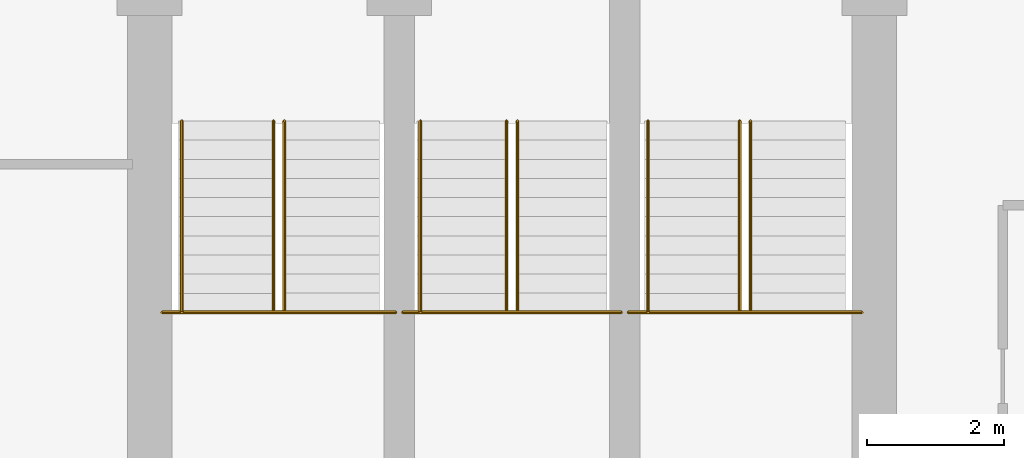
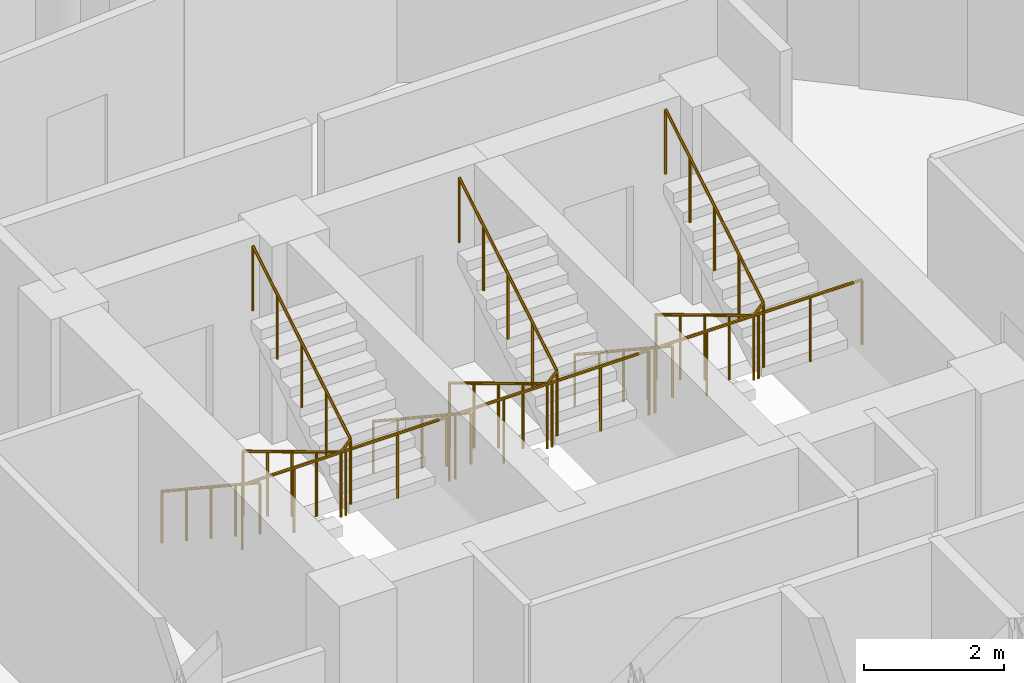
# One storey, part 26 of 26: 9 railings.
"""IFC4 building model written with IfcOpenShell, lengths in metres."""

from ifc_helpers import new_model, si_unit, direction, frame, origin, place, context, subcontext, project, spatial, polyline, outline, extrude, material, type_object, element, save


model = new_model("IFC4")

# Units and contexts
model_context = context("Model", 3, precision=1e-05, world=origin(), true_north=direction((0.0, 1.0)))
body_context = subcontext(model_context, "Body", "Model", "MODEL_VIEW")
ifc_project = project(units=[si_unit("LENGTHUNIT", "METRE"), si_unit("AREAUNIT", "SQUARE_METRE"), si_unit("VOLUMEUNIT", "CUBIC_METRE"), si_unit("PLANEANGLEUNIT", "RADIAN"), si_unit("MASSUNIT", "GRAM", prefix="KILO")], contexts=[model_context])

# Site, building, storey
site_placement = place(None, origin())
site = spatial("IfcSite", under=ifc_project, at=site_placement, CompositionType="ELEMENT")
building_placement = place(site_placement, origin())
building = spatial("IfcBuilding", under=site, at=building_placement, Name="Nuhasar Tower", CompositionType="ELEMENT")
storey_placement = place(building_placement, frame((0.0, 0.0, 155.25)))
storey = spatial("IfcBuildingStorey", under=building, at=storey_placement, Name="L37", CompositionType="ELEMENT", Elevation=155.25)

# Railings
ifc_material_1 = material(Name="Steel S355", Category="steel")
railing_type_1 = type_object("IfcRailingType", Name="RLG-STAIR-GUARD-1150", PredefinedType="GUARDRAIL", material=ifc_material_1)
railing_1_placement = place(storey_placement, frame((33.8798828125, 32.485107421875, 1.85009765625)))
element("IfcRailing", 1, at=railing_1_placement, inside=storey, type_object=railing_type_1, Name="L37 Stair ST-01 Guardrail LND", PredefinedType="GUARDRAIL", context=body_context, shape_type="SweptSolid", body=[
    extrude(outline(polyline([(0.024169921875, 0.0), (0.01708984375, 0.01708984375), (0.0, 0.024169921875), (-0.01708984375, 0.01708984375), (-0.024169921875, 0.0), (-0.01708984375, -0.01708984375), (0.0, -0.024169921875), (0.01708984375, -0.01708984375), (0.024169921875, 0.0)])), frame((0.0, 0.0, 1.1259765625), z_axis=(1.0, 0.0, 0.0), x_axis=(0.0, 1.0, 0.0)), (0.0, 0.0, 1.0), 3.420166015625),
    extrude(outline(polyline([(0.02099609375, 0.0), (0.014892578125, 0.014892578125), (0.0, 0.02099609375), (-0.014892578125, 0.014892578125), (-0.02099609375, 0.0), (-0.014892578125, -0.014892578125), (0.0, -0.02099609375), (0.014892578125, -0.014892578125), (0.02099609375, 0.0)])), origin(), (0.0, 0.0, 1.0), 1.101806640625),
    extrude(outline(polyline([(0.02099609375, 0.0), (0.014892578125, 0.014892578125), (0.0, 0.02099609375), (-0.014892578125, 0.014892578125), (-0.02099609375, 0.0), (-0.014892578125, -0.014892578125), (0.0, -0.02099609375), (0.014892578125, -0.014892578125), (0.02099609375, 0.0)])), frame((0.85498046875, 0.0, 0.0)), (0.0, 0.0, 1.0), 1.101806640625),
    extrude(outline(polyline([(0.02099609375, 0.0), (0.014892578125, 0.014892578125), (0.0, 0.02099609375), (-0.014892578125, 0.014892578125), (-0.02099609375, 0.0), (-0.014892578125, -0.014892578125), (0.0, -0.02099609375), (0.014892578125, -0.014892578125), (0.02099609375, 0.0)])), frame((1.7099609375, 0.0, 0.0)), (0.0, 0.0, 1.0), 1.101806640625),
    extrude(outline(polyline([(0.02099609375, 0.0), (0.014892578125, 0.014892578125), (0.0, 0.02099609375), (-0.014892578125, 0.014892578125), (-0.02099609375, 0.0), (-0.014892578125, -0.014892578125), (0.0, -0.02099609375), (0.014892578125, -0.014892578125), (0.02099609375, 0.0)])), frame((2.565185546875, 0.0, 0.0)), (0.0, 0.0, 1.0), 1.101806640625),
    extrude(outline(polyline([(0.02099609375, 0.0), (0.014892578125, 0.014892578125), (0.0, 0.02099609375), (-0.014892578125, 0.014892578125), (-0.02099609375, 0.0), (-0.014892578125, -0.014892578125), (0.0, -0.02099609375), (0.014892578125, -0.014892578125), (0.02099609375, 0.0)])), frame((3.420166015625, 0.0, 0.0)), (0.0, 0.0, 1.0), 1.101806640625),
])
railing_2_placement = place(storey_placement, frame((35.510009765625, 35.284912109375, 0.16796875)))
element("IfcRailing", 2, at=railing_2_placement, inside=storey, type_object=railing_type_1, Name="L37 Stair ST-01 Guardrail SLT", PredefinedType="GUARDRAIL", context=body_context, shape_type="SweptSolid", body=[
    extrude(outline(polyline([(0.024169921875, 0.0), (0.01708984375, 0.01708984375), (0.0, 0.024169921875), (-0.01708984375, 0.01708984375), (-0.024169921875, 0.0), (-0.01708984375, -0.01708984375), (0.0, -0.024169921875), (0.01708984375, -0.01708984375), (0.024169921875, 0.0)])), frame((0.0, 0.0, 1.1259765625), z_axis=(0.0, -0.857189395008, 0.515001302023), x_axis=(1.0, 0.0, 0.0)), (0.0, 0.0, 1.0), 3.266357421875),
    extrude(outline(polyline([(0.024169921875, 0.0), (0.01708984375, 0.01708984375), (0.0, 0.024169921875), (-0.01708984375, 0.01708984375), (-0.024169921875, 0.0), (-0.01708984375, -0.01708984375), (0.0, -0.024169921875), (0.01708984375, -0.01708984375), (0.024169921875, 0.0)])), frame((0.0, -2.7998046875, 2.80810546875), z_axis=(0.689523729023, 0.0, 0.72426309247), x_axis=(0.0, 1.0, 0.0)), (0.0, 0.0, 1.0), 0.23193359375),
    extrude(outline(polyline([(0.024169921875, 0.0), (0.01708984375, 0.01708984375), (0.0, 0.024169921875), (-0.01708984375, 0.01708984375), (-0.024169921875, 0.0), (-0.01708984375, -0.01708984375), (0.0, -0.024169921875), (0.01708984375, -0.01708984375), (0.024169921875, 0.0)])), frame((0.159912109375, -2.7998046875, 2.97607421875), z_axis=(0.0, 0.857222391501, 0.514946377315), x_axis=(-1.0, 0.0, 0.0)), (0.0, 0.0, 1.0), 3.26611328125),
    extrude(outline(polyline([(0.02099609375, 0.0), (0.014892578125, 0.014892578125), (0.0, 0.02099609375), (-0.014892578125, 0.014892578125), (-0.02099609375, 0.0), (-0.014892578125, -0.014892578125), (0.0, -0.02099609375), (0.014892578125, -0.014892578125), (0.02099609375, 0.0)])), origin(), (0.0, 0.0, 1.0), 1.101806640625),
    extrude(outline(polyline([(0.02099609375, 0.0), (0.014892578125, 0.014892578125), (0.0, 0.02099609375), (-0.014892578125, 0.014892578125), (-0.02099609375, 0.0), (-0.014892578125, -0.014892578125), (0.0, -0.02099609375), (0.014892578125, -0.014892578125), (0.02099609375, 0.0)])), frame((0.0, -0.699951171875, 0.42041015625)), (0.0, 0.0, 1.0), 1.101806640625),
    extrude(outline(polyline([(0.02099609375, 0.0), (0.014892578125, 0.014892578125), (0.0, 0.02099609375), (-0.014892578125, 0.014892578125), (-0.02099609375, 0.0), (-0.014892578125, -0.014892578125), (0.0, -0.02099609375), (0.014892578125, -0.014892578125), (0.02099609375, 0.0)])), frame((0.0, -1.39990234375, 0.841064453125)), (0.0, 0.0, 1.0), 1.101806640625),
    extrude(outline(polyline([(0.02099609375, 0.0), (0.014892578125, 0.014892578125), (0.0, 0.02099609375), (-0.014892578125, 0.014892578125), (-0.02099609375, 0.0), (-0.014892578125, -0.014892578125), (0.0, -0.02099609375), (0.014892578125, -0.014892578125), (0.02099609375, 0.0)])), frame((0.0, -2.099853515625, 1.26171875)), (0.0, 0.0, 1.0), 1.101806640625),
    extrude(outline(polyline([(0.02099609375, 0.0), (0.014892578125, 0.014892578125), (0.0, 0.02099609375), (-0.014892578125, 0.014892578125), (-0.02099609375, 0.0), (-0.014892578125, -0.014892578125), (0.0, -0.02099609375), (0.014892578125, -0.014892578125), (0.02099609375, 0.0)])), frame((0.0, -2.7998046875, 1.68212890625)), (0.0, 0.0, 1.0), 1.101806640625),
    extrude(outline(polyline([(0.02099609375, 0.0), (0.014892578125, 0.014892578125), (0.0, 0.02099609375), (-0.014892578125, 0.014892578125), (-0.02099609375, 0.0), (-0.014892578125, -0.014892578125), (0.0, -0.02099609375), (0.014892578125, -0.014892578125), (0.02099609375, 0.0)])), frame((0.159912109375, -2.7998046875, 1.85009765625)), (0.0, 0.0, 1.0), 1.101806640625),
    extrude(outline(polyline([(0.02099609375, 0.0), (0.014892578125, 0.014892578125), (0.0, 0.02099609375), (-0.014892578125, 0.014892578125), (-0.02099609375, 0.0), (-0.014892578125, -0.014892578125), (0.0, -0.02099609375), (0.014892578125, -0.014892578125), (0.02099609375, 0.0)])), frame((0.159912109375, -2.099853515625, 2.2705078125)), (0.0, 0.0, 1.0), 1.101806640625),
    extrude(outline(polyline([(0.02099609375, 0.0), (0.014892578125, 0.014892578125), (0.0, 0.02099609375), (-0.014892578125, 0.014892578125), (-0.02099609375, 0.0), (-0.014892578125, -0.014892578125), (0.0, -0.02099609375), (0.014892578125, -0.014892578125), (0.02099609375, 0.0)])), frame((0.159912109375, -1.39990234375, 2.69091796875)), (0.0, 0.0, 1.0), 1.101806640625),
    extrude(outline(polyline([(0.02099609375, 0.0), (0.014892578125, 0.014892578125), (0.0, 0.02099609375), (-0.014892578125, 0.014892578125), (-0.02099609375, 0.0), (-0.014892578125, -0.014892578125), (0.0, -0.02099609375), (0.014892578125, -0.014892578125), (0.02099609375, 0.0)])), frame((0.159912109375, -0.699951171875, 3.111572265625)), (0.0, 0.0, 1.0), 1.101806640625),
    extrude(outline(polyline([(0.02099609375, 0.0), (0.014892578125, 0.014892578125), (0.0, 0.02099609375), (-0.014892578125, 0.014892578125), (-0.02099609375, 0.0), (-0.014892578125, -0.014892578125), (0.0, -0.02099609375), (0.014892578125, -0.014892578125), (0.02099609375, 0.0)])), frame((0.159912109375, 0.0, 3.531982421875)), (0.0, 0.0, 1.0), 1.101806640625),
])
railing_3_placement = place(storey_placement, frame((37.39990234375, 32.485107421875, 1.85009765625)))
element("IfcRailing", 3, at=railing_3_placement, inside=storey, type_object=railing_type_1, Name="L37 Stair ST-03 Guardrail LND", PredefinedType="GUARDRAIL", context=body_context, shape_type="SweptSolid", body=[
    extrude(outline(polyline([(0.024169921875, 0.0), (0.01708984375, 0.01708984375), (0.0, 0.024169921875), (-0.01708984375, 0.01708984375), (-0.024169921875, 0.0), (-0.01708984375, -0.01708984375), (0.0, -0.024169921875), (0.01708984375, -0.01708984375), (0.024169921875, 0.0)])), frame((0.0, 0.0, 1.1259765625), z_axis=(1.0, 0.0, 0.0), x_axis=(0.0, 1.0, 0.0)), (0.0, 0.0, 1.0), 3.2001953125),
    extrude(outline(polyline([(0.02099609375, 0.0), (0.014892578125, 0.014892578125), (0.0, 0.02099609375), (-0.014892578125, 0.014892578125), (-0.02099609375, 0.0), (-0.014892578125, -0.014892578125), (0.0, -0.02099609375), (0.014892578125, -0.014892578125), (0.02099609375, 0.0)])), origin(), (0.0, 0.0, 1.0), 1.101806640625),
    extrude(outline(polyline([(0.02099609375, 0.0), (0.014892578125, 0.014892578125), (0.0, 0.02099609375), (-0.014892578125, 0.014892578125), (-0.02099609375, 0.0), (-0.014892578125, -0.014892578125), (0.0, -0.02099609375), (0.014892578125, -0.014892578125), (0.02099609375, 0.0)])), frame((0.800048828125, 0.0, 0.0)), (0.0, 0.0, 1.0), 1.101806640625),
    extrude(outline(polyline([(0.02099609375, 0.0), (0.014892578125, 0.014892578125), (0.0, 0.02099609375), (-0.014892578125, 0.014892578125), (-0.02099609375, 0.0), (-0.014892578125, -0.014892578125), (0.0, -0.02099609375), (0.014892578125, -0.014892578125), (0.02099609375, 0.0)])), frame((1.60009765625, 0.0, 0.0)), (0.0, 0.0, 1.0), 1.101806640625),
    extrude(outline(polyline([(0.02099609375, 0.0), (0.014892578125, 0.014892578125), (0.0, 0.02099609375), (-0.014892578125, 0.014892578125), (-0.02099609375, 0.0), (-0.014892578125, -0.014892578125), (0.0, -0.02099609375), (0.014892578125, -0.014892578125), (0.02099609375, 0.0)])), frame((2.400146484375, 0.0, 0.0)), (0.0, 0.0, 1.0), 1.101806640625),
    extrude(outline(polyline([(0.02099609375, 0.0), (0.014892578125, 0.014892578125), (0.0, 0.02099609375), (-0.014892578125, 0.014892578125), (-0.02099609375, 0.0), (-0.014892578125, -0.014892578125), (0.0, -0.02099609375), (0.014892578125, -0.014892578125), (0.02099609375, 0.0)])), frame((3.2001953125, 0.0, 0.0)), (0.0, 0.0, 1.0), 1.101806640625),
])
railing_4_placement = place(storey_placement, frame((38.919921875, 35.284912109375, 0.16796875)))
element("IfcRailing", 4, at=railing_4_placement, inside=storey, type_object=railing_type_1, Name="L37 Stair ST-03 Guardrail SLT", PredefinedType="GUARDRAIL", context=body_context, shape_type="SweptSolid", body=[
    extrude(outline(polyline([(0.024169921875, 0.0), (0.01708984375, 0.01708984375), (0.0, 0.024169921875), (-0.01708984375, 0.01708984375), (-0.024169921875, 0.0), (-0.01708984375, -0.01708984375), (0.0, -0.024169921875), (0.01708984375, -0.01708984375), (0.024169921875, 0.0)])), frame((0.0, 0.0, 1.1259765625), z_axis=(0.0, -0.857189395008, 0.515001302023), x_axis=(1.0, 0.0, 0.0)), (0.0, 0.0, 1.0), 3.266357421875),
    extrude(outline(polyline([(0.024169921875, 0.0), (0.01708984375, 0.01708984375), (0.0, 0.024169921875), (-0.01708984375, 0.01708984375), (-0.024169921875, 0.0), (-0.01708984375, -0.01708984375), (0.0, -0.024169921875), (0.01708984375, -0.01708984375), (0.024169921875, 0.0)])), frame((0.0, -2.7998046875, 2.80810546875), z_axis=(0.690075333573, 0.0, 0.723737544967), x_axis=(0.0, 1.0, 0.0)), (0.0, 0.0, 1.0), 0.232177734375),
    extrude(outline(polyline([(0.024169921875, 0.0), (0.01708984375, 0.01708984375), (0.0, 0.024169921875), (-0.01708984375, 0.01708984375), (-0.024169921875, 0.0), (-0.01708984375, -0.01708984375), (0.0, -0.024169921875), (0.01708984375, -0.01708984375), (0.024169921875, 0.0)])), frame((0.16015625, -2.7998046875, 2.97607421875), z_axis=(0.0, 0.857222391501, 0.514946377315), x_axis=(-1.0, 0.0, 0.0)), (0.0, 0.0, 1.0), 3.26611328125),
    extrude(outline(polyline([(0.02099609375, 0.0), (0.014892578125, 0.014892578125), (0.0, 0.02099609375), (-0.014892578125, 0.014892578125), (-0.02099609375, 0.0), (-0.014892578125, -0.014892578125), (0.0, -0.02099609375), (0.014892578125, -0.014892578125), (0.02099609375, 0.0)])), origin(), (0.0, 0.0, 1.0), 1.101806640625),
    extrude(outline(polyline([(0.02099609375, 0.0), (0.014892578125, 0.014892578125), (0.0, 0.02099609375), (-0.014892578125, 0.014892578125), (-0.02099609375, 0.0), (-0.014892578125, -0.014892578125), (0.0, -0.02099609375), (0.014892578125, -0.014892578125), (0.02099609375, 0.0)])), frame((0.0, -0.699951171875, 0.42041015625)), (0.0, 0.0, 1.0), 1.101806640625),
    extrude(outline(polyline([(0.02099609375, 0.0), (0.014892578125, 0.014892578125), (0.0, 0.02099609375), (-0.014892578125, 0.014892578125), (-0.02099609375, 0.0), (-0.014892578125, -0.014892578125), (0.0, -0.02099609375), (0.014892578125, -0.014892578125), (0.02099609375, 0.0)])), frame((0.0, -1.39990234375, 0.841064453125)), (0.0, 0.0, 1.0), 1.101806640625),
    extrude(outline(polyline([(0.02099609375, 0.0), (0.014892578125, 0.014892578125), (0.0, 0.02099609375), (-0.014892578125, 0.014892578125), (-0.02099609375, 0.0), (-0.014892578125, -0.014892578125), (0.0, -0.02099609375), (0.014892578125, -0.014892578125), (0.02099609375, 0.0)])), frame((0.0, -2.099853515625, 1.26171875)), (0.0, 0.0, 1.0), 1.101806640625),
    extrude(outline(polyline([(0.02099609375, 0.0), (0.014892578125, 0.014892578125), (0.0, 0.02099609375), (-0.014892578125, 0.014892578125), (-0.02099609375, 0.0), (-0.014892578125, -0.014892578125), (0.0, -0.02099609375), (0.014892578125, -0.014892578125), (0.02099609375, 0.0)])), frame((0.0, -2.7998046875, 1.68212890625)), (0.0, 0.0, 1.0), 1.101806640625),
    extrude(outline(polyline([(0.02099609375, 0.0), (0.014892578125, 0.014892578125), (0.0, 0.02099609375), (-0.014892578125, 0.014892578125), (-0.02099609375, 0.0), (-0.014892578125, -0.014892578125), (0.0, -0.02099609375), (0.014892578125, -0.014892578125), (0.02099609375, 0.0)])), frame((0.16015625, -2.7998046875, 1.85009765625)), (0.0, 0.0, 1.0), 1.101806640625),
    extrude(outline(polyline([(0.02099609375, 0.0), (0.014892578125, 0.014892578125), (0.0, 0.02099609375), (-0.014892578125, 0.014892578125), (-0.02099609375, 0.0), (-0.014892578125, -0.014892578125), (0.0, -0.02099609375), (0.014892578125, -0.014892578125), (0.02099609375, 0.0)])), frame((0.16015625, -2.099853515625, 2.2705078125)), (0.0, 0.0, 1.0), 1.101806640625),
    extrude(outline(polyline([(0.02099609375, 0.0), (0.014892578125, 0.014892578125), (0.0, 0.02099609375), (-0.014892578125, 0.014892578125), (-0.02099609375, 0.0), (-0.014892578125, -0.014892578125), (0.0, -0.02099609375), (0.014892578125, -0.014892578125), (0.02099609375, 0.0)])), frame((0.16015625, -1.39990234375, 2.69091796875)), (0.0, 0.0, 1.0), 1.101806640625),
    extrude(outline(polyline([(0.02099609375, 0.0), (0.014892578125, 0.014892578125), (0.0, 0.02099609375), (-0.014892578125, 0.014892578125), (-0.02099609375, 0.0), (-0.014892578125, -0.014892578125), (0.0, -0.02099609375), (0.014892578125, -0.014892578125), (0.02099609375, 0.0)])), frame((0.16015625, -0.699951171875, 3.111572265625)), (0.0, 0.0, 1.0), 1.101806640625),
    extrude(outline(polyline([(0.02099609375, 0.0), (0.014892578125, 0.014892578125), (0.0, 0.02099609375), (-0.014892578125, 0.014892578125), (-0.02099609375, 0.0), (-0.014892578125, -0.014892578125), (0.0, -0.02099609375), (0.014892578125, -0.014892578125), (0.02099609375, 0.0)])), frame((0.16015625, 0.0, 3.531982421875)), (0.0, 0.0, 1.0), 1.101806640625),
])
railing_5_placement = place(storey_placement, frame((40.699951171875, 32.485107421875, 1.85009765625)))
element("IfcRailing", 5, at=railing_5_placement, inside=storey, type_object=railing_type_1, Name="L37 Stair ST-02 Guardrail LND", PredefinedType="GUARDRAIL", context=body_context, shape_type="SweptSolid", body=[
    extrude(outline(polyline([(0.024169921875, 0.0), (0.01708984375, 0.01708984375), (0.0, 0.024169921875), (-0.01708984375, 0.01708984375), (-0.024169921875, 0.0), (-0.01708984375, -0.01708984375), (0.0, -0.024169921875), (0.01708984375, -0.01708984375), (0.024169921875, 0.0)])), frame((0.0, 0.0, 1.1259765625), z_axis=(1.0, 0.0, 0.0), x_axis=(0.0, 1.0, 0.0)), (0.0, 0.0, 1.0), 3.420166015625),
    extrude(outline(polyline([(0.02099609375, 0.0), (0.014892578125, 0.014892578125), (0.0, 0.02099609375), (-0.014892578125, 0.014892578125), (-0.02099609375, 0.0), (-0.014892578125, -0.014892578125), (0.0, -0.02099609375), (0.014892578125, -0.014892578125), (0.02099609375, 0.0)])), origin(), (0.0, 0.0, 1.0), 1.101806640625),
    extrude(outline(polyline([(0.02099609375, 0.0), (0.014892578125, 0.014892578125), (0.0, 0.02099609375), (-0.014892578125, 0.014892578125), (-0.02099609375, 0.0), (-0.014892578125, -0.014892578125), (0.0, -0.02099609375), (0.014892578125, -0.014892578125), (0.02099609375, 0.0)])), frame((0.85498046875, 0.0, 0.0)), (0.0, 0.0, 1.0), 1.101806640625),
    extrude(outline(polyline([(0.02099609375, 0.0), (0.014892578125, 0.014892578125), (0.0, 0.02099609375), (-0.014892578125, 0.014892578125), (-0.02099609375, 0.0), (-0.014892578125, -0.014892578125), (0.0, -0.02099609375), (0.014892578125, -0.014892578125), (0.02099609375, 0.0)])), frame((1.7099609375, 0.0, 0.0)), (0.0, 0.0, 1.0), 1.101806640625),
    extrude(outline(polyline([(0.02099609375, 0.0), (0.014892578125, 0.014892578125), (0.0, 0.02099609375), (-0.014892578125, 0.014892578125), (-0.02099609375, 0.0), (-0.014892578125, -0.014892578125), (0.0, -0.02099609375), (0.014892578125, -0.014892578125), (0.02099609375, 0.0)])), frame((2.565185546875, 0.0, 0.0)), (0.0, 0.0, 1.0), 1.101806640625),
    extrude(outline(polyline([(0.02099609375, 0.0), (0.014892578125, 0.014892578125), (0.0, 0.02099609375), (-0.014892578125, 0.014892578125), (-0.02099609375, 0.0), (-0.014892578125, -0.014892578125), (0.0, -0.02099609375), (0.014892578125, -0.014892578125), (0.02099609375, 0.0)])), frame((3.420166015625, 0.0, 0.0)), (0.0, 0.0, 1.0), 1.101806640625),
])
railing_6_placement = place(storey_placement, frame((42.330078125, 35.284912109375, 0.16796875)))
element("IfcRailing", 6, at=railing_6_placement, inside=storey, type_object=railing_type_1, Name="L37 Stair ST-02 Guardrail SLT", PredefinedType="GUARDRAIL", context=body_context, shape_type="SweptSolid", body=[
    extrude(outline(polyline([(0.024169921875, 0.0), (0.01708984375, 0.01708984375), (0.0, 0.024169921875), (-0.01708984375, 0.01708984375), (-0.024169921875, 0.0), (-0.01708984375, -0.01708984375), (0.0, -0.024169921875), (0.01708984375, -0.01708984375), (0.024169921875, 0.0)])), frame((0.0, 0.0, 1.1259765625), z_axis=(0.0, -0.857189395008, 0.515001302023), x_axis=(1.0, 0.0, 0.0)), (0.0, 0.0, 1.0), 3.266357421875),
    extrude(outline(polyline([(0.024169921875, 0.0), (0.01708984375, 0.01708984375), (0.0, 0.024169921875), (-0.01708984375, 0.01708984375), (-0.024169921875, 0.0), (-0.01708984375, -0.01708984375), (0.0, -0.024169921875), (0.01708984375, -0.01708984375), (0.024169921875, 0.0)])), frame((0.0, -2.7998046875, 2.80810546875), z_axis=(0.689523729023, 0.0, 0.72426309247), x_axis=(0.0, 1.0, 0.0)), (0.0, 0.0, 1.0), 0.23193359375),
    extrude(outline(polyline([(0.024169921875, 0.0), (0.01708984375, 0.01708984375), (0.0, 0.024169921875), (-0.01708984375, 0.01708984375), (-0.024169921875, 0.0), (-0.01708984375, -0.01708984375), (0.0, -0.024169921875), (0.01708984375, -0.01708984375), (0.024169921875, 0.0)])), frame((0.159912109375, -2.7998046875, 2.97607421875), z_axis=(0.0, 0.857222391501, 0.514946377315), x_axis=(-1.0, 0.0, 0.0)), (0.0, 0.0, 1.0), 3.26611328125),
    extrude(outline(polyline([(0.02099609375, 0.0), (0.014892578125, 0.014892578125), (0.0, 0.02099609375), (-0.014892578125, 0.014892578125), (-0.02099609375, 0.0), (-0.014892578125, -0.014892578125), (0.0, -0.02099609375), (0.014892578125, -0.014892578125), (0.02099609375, 0.0)])), origin(), (0.0, 0.0, 1.0), 1.101806640625),
    extrude(outline(polyline([(0.02099609375, 0.0), (0.014892578125, 0.014892578125), (0.0, 0.02099609375), (-0.014892578125, 0.014892578125), (-0.02099609375, 0.0), (-0.014892578125, -0.014892578125), (0.0, -0.02099609375), (0.014892578125, -0.014892578125), (0.02099609375, 0.0)])), frame((0.0, -0.699951171875, 0.42041015625)), (0.0, 0.0, 1.0), 1.101806640625),
    extrude(outline(polyline([(0.02099609375, 0.0), (0.014892578125, 0.014892578125), (0.0, 0.02099609375), (-0.014892578125, 0.014892578125), (-0.02099609375, 0.0), (-0.014892578125, -0.014892578125), (0.0, -0.02099609375), (0.014892578125, -0.014892578125), (0.02099609375, 0.0)])), frame((0.0, -1.39990234375, 0.841064453125)), (0.0, 0.0, 1.0), 1.101806640625),
    extrude(outline(polyline([(0.02099609375, 0.0), (0.014892578125, 0.014892578125), (0.0, 0.02099609375), (-0.014892578125, 0.014892578125), (-0.02099609375, 0.0), (-0.014892578125, -0.014892578125), (0.0, -0.02099609375), (0.014892578125, -0.014892578125), (0.02099609375, 0.0)])), frame((0.0, -2.099853515625, 1.26171875)), (0.0, 0.0, 1.0), 1.101806640625),
    extrude(outline(polyline([(0.02099609375, 0.0), (0.014892578125, 0.014892578125), (0.0, 0.02099609375), (-0.014892578125, 0.014892578125), (-0.02099609375, 0.0), (-0.014892578125, -0.014892578125), (0.0, -0.02099609375), (0.014892578125, -0.014892578125), (0.02099609375, 0.0)])), frame((0.0, -2.7998046875, 1.68212890625)), (0.0, 0.0, 1.0), 1.101806640625),
    extrude(outline(polyline([(0.02099609375, 0.0), (0.014892578125, 0.014892578125), (0.0, 0.02099609375), (-0.014892578125, 0.014892578125), (-0.02099609375, 0.0), (-0.014892578125, -0.014892578125), (0.0, -0.02099609375), (0.014892578125, -0.014892578125), (0.02099609375, 0.0)])), frame((0.159912109375, -2.7998046875, 1.85009765625)), (0.0, 0.0, 1.0), 1.101806640625),
    extrude(outline(polyline([(0.02099609375, 0.0), (0.014892578125, 0.014892578125), (0.0, 0.02099609375), (-0.014892578125, 0.014892578125), (-0.02099609375, 0.0), (-0.014892578125, -0.014892578125), (0.0, -0.02099609375), (0.014892578125, -0.014892578125), (0.02099609375, 0.0)])), frame((0.159912109375, -2.099853515625, 2.2705078125)), (0.0, 0.0, 1.0), 1.101806640625),
    extrude(outline(polyline([(0.02099609375, 0.0), (0.014892578125, 0.014892578125), (0.0, 0.02099609375), (-0.014892578125, 0.014892578125), (-0.02099609375, 0.0), (-0.014892578125, -0.014892578125), (0.0, -0.02099609375), (0.014892578125, -0.014892578125), (0.02099609375, 0.0)])), frame((0.159912109375, -1.39990234375, 2.69091796875)), (0.0, 0.0, 1.0), 1.101806640625),
    extrude(outline(polyline([(0.02099609375, 0.0), (0.014892578125, 0.014892578125), (0.0, 0.02099609375), (-0.014892578125, 0.014892578125), (-0.02099609375, 0.0), (-0.014892578125, -0.014892578125), (0.0, -0.02099609375), (0.014892578125, -0.014892578125), (0.02099609375, 0.0)])), frame((0.159912109375, -0.699951171875, 3.111572265625)), (0.0, 0.0, 1.0), 1.101806640625),
    extrude(outline(polyline([(0.02099609375, 0.0), (0.014892578125, 0.014892578125), (0.0, 0.02099609375), (-0.014892578125, 0.014892578125), (-0.02099609375, 0.0), (-0.014892578125, -0.014892578125), (0.0, -0.02099609375), (0.014892578125, -0.014892578125), (0.02099609375, 0.0)])), frame((0.159912109375, 0.0, 3.531982421875)), (0.0, 0.0, 1.0), 1.101806640625),
])
ifc_material_2 = material(Name="Stainless Steel 316L", Category="steel")
railing_type_2 = type_object("IfcRailingType", Name="RLG-STAIR-HAND-920", PredefinedType="HANDRAIL", material=ifc_material_2)
railing_7_placement = place(storey_placement, frame((34.169921875, 35.284912109375, 0.16796875)))
element("IfcRailing", 7, at=railing_7_placement, inside=storey, type_object=railing_type_2, Name="L37 Stair ST-01 Handrail HND1", PredefinedType="HANDRAIL", context=body_context, shape_type="SweptSolid", body=[
    extrude(outline(polyline([(0.024169921875, 0.0), (0.01708984375, 0.01708984375), (0.0, 0.024169921875), (-0.01708984375, 0.01708984375), (-0.024169921875, 0.0), (-0.01708984375, -0.01708984375), (0.0, -0.024169921875), (0.01708984375, -0.01708984375), (0.024169921875, 0.0)])), frame((0.0, 0.0, 0.89599609375), z_axis=(0.0, -0.834304248922, 0.551304290053), x_axis=(1.0, 0.0, 0.0)), (0.0, 0.0, 1.0), 3.35595703125),
    extrude(outline(polyline([(0.02099609375, 0.0), (0.014892578125, 0.014892578125), (0.0, 0.02099609375), (-0.014892578125, 0.014892578125), (-0.02099609375, 0.0), (-0.014892578125, -0.014892578125), (0.0, -0.02099609375), (0.014892578125, -0.014892578125), (0.02099609375, 0.0)])), origin(), (0.0, 0.0, 1.0), 0.871826171875),
    extrude(outline(polyline([(0.02099609375, 0.0), (0.014892578125, 0.014892578125), (0.0, 0.02099609375), (-0.014892578125, 0.014892578125), (-0.02099609375, 0.0), (-0.014892578125, -0.014892578125), (0.0, -0.02099609375), (0.014892578125, -0.014892578125), (0.02099609375, 0.0)])), frame((0.0, -0.699951171875, 0.46240234375)), (0.0, 0.0, 1.0), 0.871826171875),
    extrude(outline(polyline([(0.02099609375, 0.0), (0.014892578125, 0.014892578125), (0.0, 0.02099609375), (-0.014892578125, 0.014892578125), (-0.02099609375, 0.0), (-0.014892578125, -0.014892578125), (0.0, -0.02099609375), (0.014892578125, -0.014892578125), (0.02099609375, 0.0)])), frame((0.0, -1.39990234375, 0.925048828125)), (0.0, 0.0, 1.0), 0.871826171875),
    extrude(outline(polyline([(0.02099609375, 0.0), (0.014892578125, 0.014892578125), (0.0, 0.02099609375), (-0.014892578125, 0.014892578125), (-0.02099609375, 0.0), (-0.014892578125, -0.014892578125), (0.0, -0.02099609375), (0.014892578125, -0.014892578125), (0.02099609375, 0.0)])), frame((0.0, -2.099853515625, 1.3876953125)), (0.0, 0.0, 1.0), 0.871826171875),
    extrude(outline(polyline([(0.02099609375, 0.0), (0.014892578125, 0.014892578125), (0.0, 0.02099609375), (-0.014892578125, 0.014892578125), (-0.02099609375, 0.0), (-0.014892578125, -0.014892578125), (0.0, -0.02099609375), (0.014892578125, -0.014892578125), (0.02099609375, 0.0)])), frame((0.0, -2.7998046875, 1.85009765625)), (0.0, 0.0, 1.0), 0.871826171875),
])
railing_8_placement = place(storey_placement, frame((37.659912109375, 35.284912109375, 0.16796875)))
element("IfcRailing", 8, at=railing_8_placement, inside=storey, type_object=railing_type_2, Name="L37 Stair ST-03 Handrail HND1", PredefinedType="HANDRAIL", context=body_context, shape_type="SweptSolid", body=[
    extrude(outline(polyline([(0.024169921875, 0.0), (0.01708984375, 0.01708984375), (0.0, 0.024169921875), (-0.01708984375, 0.01708984375), (-0.024169921875, 0.0), (-0.01708984375, -0.01708984375), (0.0, -0.024169921875), (0.01708984375, -0.01708984375), (0.024169921875, 0.0)])), frame((0.0, 0.0, 0.89599609375), z_axis=(0.0, -0.834304248922, 0.551304290053), x_axis=(1.0, 0.0, 0.0)), (0.0, 0.0, 1.0), 3.35595703125),
    extrude(outline(polyline([(0.02099609375, 0.0), (0.014892578125, 0.014892578125), (0.0, 0.02099609375), (-0.014892578125, 0.014892578125), (-0.02099609375, 0.0), (-0.014892578125, -0.014892578125), (0.0, -0.02099609375), (0.014892578125, -0.014892578125), (0.02099609375, 0.0)])), origin(), (0.0, 0.0, 1.0), 0.871826171875),
    extrude(outline(polyline([(0.02099609375, 0.0), (0.014892578125, 0.014892578125), (0.0, 0.02099609375), (-0.014892578125, 0.014892578125), (-0.02099609375, 0.0), (-0.014892578125, -0.014892578125), (0.0, -0.02099609375), (0.014892578125, -0.014892578125), (0.02099609375, 0.0)])), frame((0.0, -0.699951171875, 0.46240234375)), (0.0, 0.0, 1.0), 0.871826171875),
    extrude(outline(polyline([(0.02099609375, 0.0), (0.014892578125, 0.014892578125), (0.0, 0.02099609375), (-0.014892578125, 0.014892578125), (-0.02099609375, 0.0), (-0.014892578125, -0.014892578125), (0.0, -0.02099609375), (0.014892578125, -0.014892578125), (0.02099609375, 0.0)])), frame((0.0, -1.39990234375, 0.925048828125)), (0.0, 0.0, 1.0), 0.871826171875),
    extrude(outline(polyline([(0.02099609375, 0.0), (0.014892578125, 0.014892578125), (0.0, 0.02099609375), (-0.014892578125, 0.014892578125), (-0.02099609375, 0.0), (-0.014892578125, -0.014892578125), (0.0, -0.02099609375), (0.014892578125, -0.014892578125), (0.02099609375, 0.0)])), frame((0.0, -2.099853515625, 1.3876953125)), (0.0, 0.0, 1.0), 0.871826171875),
    extrude(outline(polyline([(0.02099609375, 0.0), (0.014892578125, 0.014892578125), (0.0, 0.02099609375), (-0.014892578125, 0.014892578125), (-0.02099609375, 0.0), (-0.014892578125, -0.014892578125), (0.0, -0.02099609375), (0.014892578125, -0.014892578125), (0.02099609375, 0.0)])), frame((0.0, -2.7998046875, 1.85009765625)), (0.0, 0.0, 1.0), 0.871826171875),
])
railing_9_placement = place(storey_placement, frame((40.989990234375, 35.284912109375, 0.16796875)))
element("IfcRailing", 9, at=railing_9_placement, inside=storey, type_object=railing_type_2, Name="L37 Stair ST-02 Handrail HND1", PredefinedType="HANDRAIL", context=body_context, shape_type="SweptSolid", body=[
    extrude(outline(polyline([(0.024169921875, 0.0), (0.01708984375, 0.01708984375), (0.0, 0.024169921875), (-0.01708984375, 0.01708984375), (-0.024169921875, 0.0), (-0.01708984375, -0.01708984375), (0.0, -0.024169921875), (0.01708984375, -0.01708984375), (0.024169921875, 0.0)])), frame((0.0, 0.0, 0.89599609375), z_axis=(0.0, -0.834304248922, 0.551304290053), x_axis=(1.0, 0.0, 0.0)), (0.0, 0.0, 1.0), 3.35595703125),
    extrude(outline(polyline([(0.02099609375, 0.0), (0.014892578125, 0.014892578125), (0.0, 0.02099609375), (-0.014892578125, 0.014892578125), (-0.02099609375, 0.0), (-0.014892578125, -0.014892578125), (0.0, -0.02099609375), (0.014892578125, -0.014892578125), (0.02099609375, 0.0)])), origin(), (0.0, 0.0, 1.0), 0.871826171875),
    extrude(outline(polyline([(0.02099609375, 0.0), (0.014892578125, 0.014892578125), (0.0, 0.02099609375), (-0.014892578125, 0.014892578125), (-0.02099609375, 0.0), (-0.014892578125, -0.014892578125), (0.0, -0.02099609375), (0.014892578125, -0.014892578125), (0.02099609375, 0.0)])), frame((0.0, -0.699951171875, 0.46240234375)), (0.0, 0.0, 1.0), 0.871826171875),
    extrude(outline(polyline([(0.02099609375, 0.0), (0.014892578125, 0.014892578125), (0.0, 0.02099609375), (-0.014892578125, 0.014892578125), (-0.02099609375, 0.0), (-0.014892578125, -0.014892578125), (0.0, -0.02099609375), (0.014892578125, -0.014892578125), (0.02099609375, 0.0)])), frame((0.0, -1.39990234375, 0.925048828125)), (0.0, 0.0, 1.0), 0.871826171875),
    extrude(outline(polyline([(0.02099609375, 0.0), (0.014892578125, 0.014892578125), (0.0, 0.02099609375), (-0.014892578125, 0.014892578125), (-0.02099609375, 0.0), (-0.014892578125, -0.014892578125), (0.0, -0.02099609375), (0.014892578125, -0.014892578125), (0.02099609375, 0.0)])), frame((0.0, -2.099853515625, 1.3876953125)), (0.0, 0.0, 1.0), 0.871826171875),
    extrude(outline(polyline([(0.02099609375, 0.0), (0.014892578125, 0.014892578125), (0.0, 0.02099609375), (-0.014892578125, 0.014892578125), (-0.02099609375, 0.0), (-0.014892578125, -0.014892578125), (0.0, -0.02099609375), (0.014892578125, -0.014892578125), (0.02099609375, 0.0)])), frame((0.0, -2.7998046875, 1.85009765625)), (0.0, 0.0, 1.0), 0.871826171875),
])

save(model, "model.ifc")
